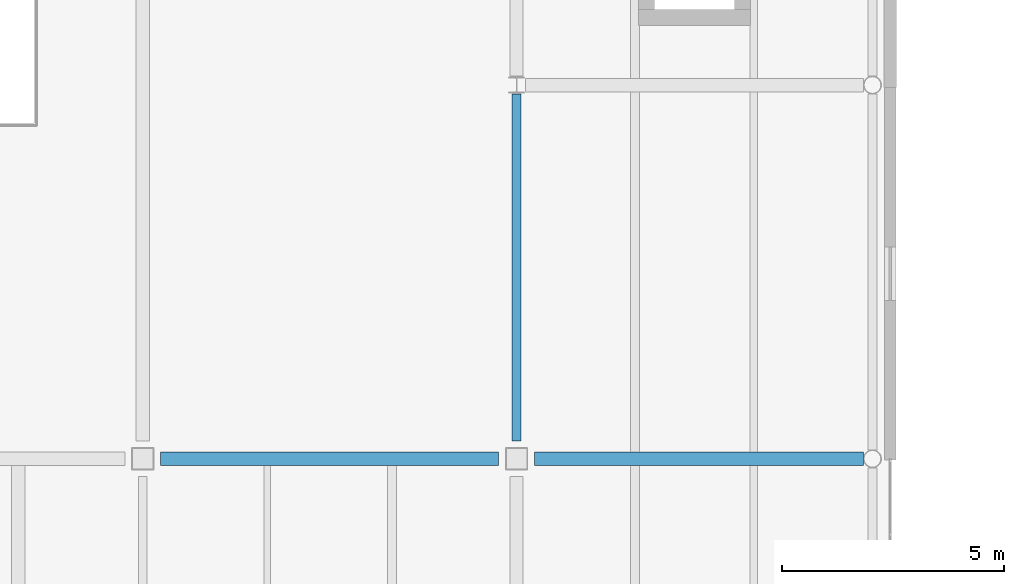
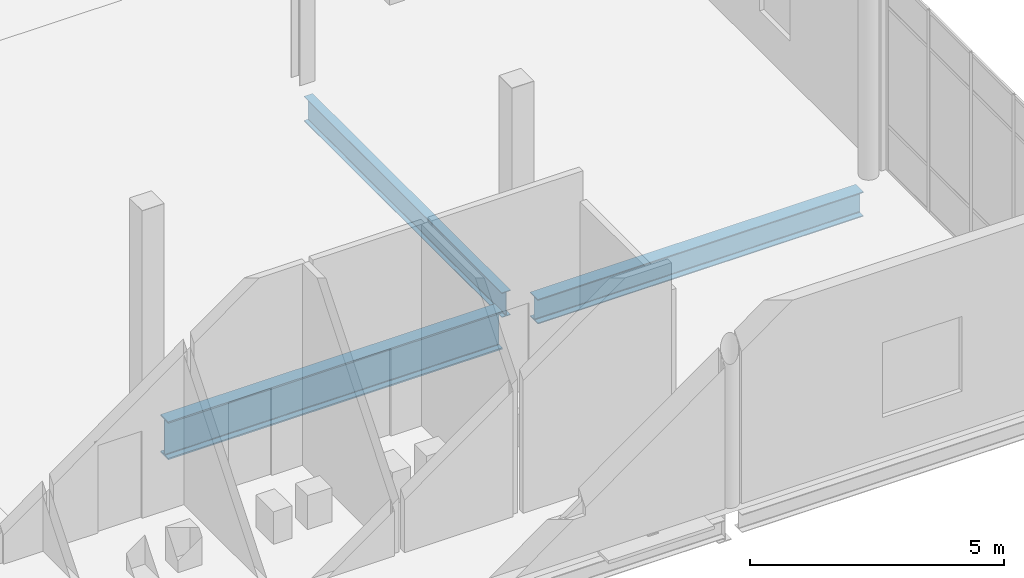
# One storey, part 42 of 104: 3 beams.
"""IFC4 building model written with IfcOpenShell, lengths in metres."""

from ifc_helpers import new_model, si_unit, direction, frame, origin, origin_2d, place, context, subcontext, project, spatial, i_section, extrude, material, material_profile, profile_set, type_object, element, save


model = new_model("IFC4")

# Units and contexts
model_context = context("Model", 3, precision=1e-05, world=origin(), true_north=direction((0.0, 1.0)))
body_context = subcontext(model_context, "Body", "Model", "MODEL_VIEW")
ifc_project = project(units=[si_unit("LENGTHUNIT", "METRE"), si_unit("AREAUNIT", "SQUARE_METRE"), si_unit("VOLUMEUNIT", "CUBIC_METRE"), si_unit("PLANEANGLEUNIT", "RADIAN"), si_unit("MASSUNIT", "GRAM", prefix="KILO"), si_unit("THERMODYNAMICTEMPERATUREUNIT", "KELVIN")], contexts=[model_context])

# Site, building, storey
site_placement = place(None, origin())
site = spatial("IfcSite", under=ifc_project, at=site_placement, CompositionType="ELEMENT")
building_placement = place(site_placement, origin())
building = spatial("IfcBuilding", under=site, at=building_placement, Name="Lustrewick Department Store", CompositionType="ELEMENT")
storey_placement = place(building_placement, frame((0.0, 0.0, 11.39990234375)))
storey = spatial("IfcBuildingStorey", under=building, at=storey_placement, Name="L03", CompositionType="ELEMENT", Elevation=11.39990234375)

# Beams
ifc_material_1 = material(Name="Structural steel Q355C", Category="steel")
ifc_material_profile_1 = material_profile(ifc_material_1, i_section(OverallWidth=0.302001953125, OverallDepth=0.912109375, WebThickness=0.01806640625, FlangeThickness=0.033935546875, FilletRadius=0.02392578125, at=origin_2d()), Name="HN 912x302x18x34")
ifc_profile_set_1 = profile_set([ifc_material_profile_1], Name="Structural steel Q355C")
beam_type_1 = type_object("IfcBeamType", Name="G01", PredefinedType="BEAM", material=ifc_profile_set_1)
beam_1_placement = place(storey_placement, frame((134.800048828125, 16.800048828125, -0.7109375), z_axis=(1.0, 0.0, 0.0), x_axis=(0.0, 1.0, 0.0)))
element("IfcBeam", 1, at=beam_1_placement, inside=storey, type_object=beam_type_1, Name="L03 V3 Girder G01", PredefinedType="BEAM", context=body_context, shape_type="SweptSolid", body=[
    extrude(i_section(OverallWidth=0.302001953125, OverallDepth=0.912109375, WebThickness=0.01806640625, FlangeThickness=0.033935546875, FilletRadius=0.02392578125, at=origin_2d()), origin(), (0.0, 0.0, 1.0), 7.599853515625),
])
ifc_material_2 = material(Name="Structural steel Q355B", Category="steel")
ifc_material_profile_2 = material_profile(ifc_material_2, i_section(OverallWidth=0.302001953125, OverallDepth=0.593994140625, WebThickness=0.013916015625, FlangeThickness=0.02294921875, FilletRadius=0.02392578125, at=origin_2d()), Name="HM 594x302x14x23")
ifc_profile_set_2 = profile_set([ifc_material_profile_2], Name="Structural steel Q355B")
beam_type_2 = type_object("IfcBeamType", Name="G10", PredefinedType="BEAM", material=ifc_profile_set_2)
beam_2_placement = place(storey_placement, frame((143.199951171875, 16.800048828125, -0.552001953125), z_axis=(1.0, 0.0, 0.0), x_axis=(0.0, 1.0, 0.0)))
element("IfcBeam", 2, at=beam_2_placement, inside=storey, type_object=beam_type_2, Name="L03 V3 Girder G10", PredefinedType="BEAM", context=body_context, shape_type="SweptSolid", body=[
    extrude(i_section(OverallWidth=0.302001953125, OverallDepth=0.593994140625, WebThickness=0.013916015625, FlangeThickness=0.02294921875, FilletRadius=0.02392578125, at=origin_2d()), origin(), (0.0, 0.0, 1.0), 7.39697265625),
])
ifc_material_profile_3 = material_profile(ifc_material_2, i_section(OverallWidth=0.198974609375, OverallDepth=0.595947265625, WebThickness=0.010009765625, FlangeThickness=0.014892578125, FilletRadius=0.01806640625, at=origin_2d()), Name="HN 596x199x10x15")
ifc_profile_set_3 = profile_set([ifc_material_profile_3], Name="Structural steel Q355B")
beam_type_3 = type_object("IfcBeamType", Name="G15", PredefinedType="BEAM", material=ifc_profile_set_3)
beam_3_placement = place(storey_placement, frame((142.800048828125, 17.199951171875, -0.552978515625), z_axis=(0.0, 1.0, 0.0), x_axis=(-1.0, 0.0, 0.0)))
element("IfcBeam", 3, at=beam_3_placement, inside=storey, type_object=beam_type_3, Name="L03 V3 Girder G15", PredefinedType="BEAM", context=body_context, shape_type="SweptSolid", body=[
    extrude(i_section(OverallWidth=0.198974609375, OverallDepth=0.595947265625, WebThickness=0.010009765625, FlangeThickness=0.014892578125, FilletRadius=0.01806640625, at=origin_2d()), origin(), (0.0, 0.0, 1.0), 7.79296875),
])

save(model, "model.ifc")
